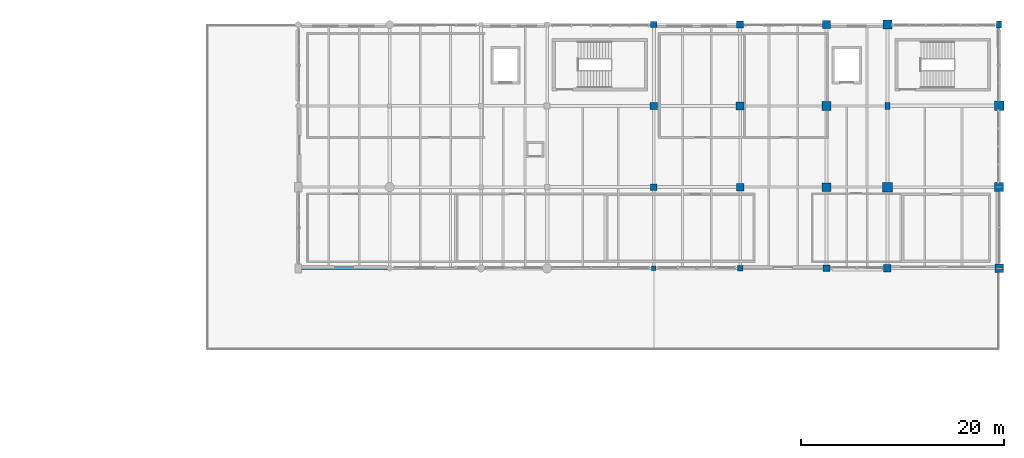
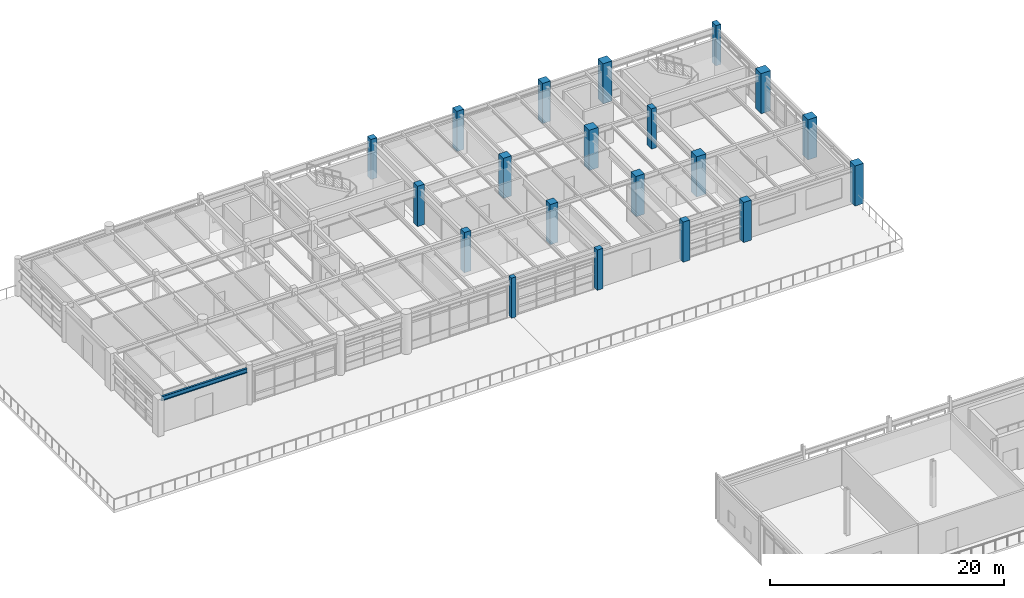
# One storey, part 6 of 56: 20 columns, 1 beam.
"""IFC4 building model written with IfcOpenShell, lengths in metres."""

from ifc_helpers import new_model, si_unit, direction, frame, origin, origin_2d, place, context, subcontext, project, spatial, rectangle, i_section, extrude, material, material_profile, profile_set, type_object, element, save


model = new_model("IFC4")

# Units and contexts
model_context = context("Model", 3, precision=1e-05, world=origin(), true_north=direction((0.0, 1.0)))
body_context = subcontext(model_context, "Body", "Model", "MODEL_VIEW")
ifc_project = project(units=[si_unit("LENGTHUNIT", "METRE"), si_unit("AREAUNIT", "SQUARE_METRE"), si_unit("VOLUMEUNIT", "CUBIC_METRE"), si_unit("PLANEANGLEUNIT", "RADIAN"), si_unit("MASSUNIT", "GRAM", prefix="KILO"), si_unit("THERMODYNAMICTEMPERATUREUNIT", "KELVIN"), si_unit("POWERUNIT", "WATT")], contexts=[model_context])

# Site, building, storey
site_placement = place(None, origin())
site = spatial("IfcSite", under=ifc_project, at=site_placement, CompositionType="ELEMENT")
building_placement = place(site_placement, origin())
building = spatial("IfcBuilding", under=site, at=building_placement, Name="Tepalcoro Natatorium and Aquatics Centre", CompositionType="ELEMENT")
storey_placement = place(building_placement, frame((0.0, 0.0, 14.800048828125)))
storey = spatial("IfcBuildingStorey", under=building, at=storey_placement, Name="L03", CompositionType="ELEMENT", Elevation=14.800048828125)

# Columns
ifc_material_1 = material(Name="Concrete C40/50 (fc 40 MPa)", Category="concrete")
ifc_material_profile_1 = material_profile(ifc_material_1, rectangle(XDim=0.449951171875, YDim=0.449951171875, at=origin_2d()), Name="RC450x450")
ifc_profile_set_1 = profile_set([ifc_material_profile_1], Name="Concrete C40/50 (fc 40 MPa)")
column_type_1 = type_object("IfcColumnType", Name="COL_RC_450x450", PredefinedType="COLUMN", material=ifc_profile_set_1)
column_1_placement = place(storey_placement, frame((142.0, 94.0, 0.0), z_axis=(0.0, 0.0, 1.0), x_axis=(1.0, 0.0, 0.0)))
element("IfcColumn", 1, at=column_1_placement, inside=storey, type_object=column_type_1, Name="V5 L03 Grid Column (142.0, 94.0)", PredefinedType="COLUMN", context=body_context, shape_type="SweptSolid", body=[
    extrude(rectangle(XDim=0.449951171875, YDim=0.449951171875, at=origin_2d()), origin(), (0.0, 0.0, 1.0), 4.199951171875),
])
ifc_material_profile_2 = material_profile(ifc_material_1, rectangle(XDim=0.5, YDim=0.699951171875, at=origin_2d()), Name="RC500x700")
ifc_profile_set_2 = profile_set([ifc_material_profile_2], Name="Concrete C40/50 (fc 40 MPa)")
column_type_2 = type_object("IfcColumnType", Name="COL_RC_500x700", PredefinedType="COLUMN", material=ifc_profile_set_2)
for number, where, z_axis, x_axis, name in (
    (2, (165.0, 110.0, 0.0), (0.0, 0.0, 1.0), (1.0, 0.0, 0.0), "V5 L03 Grid Column (165.0, 110.0)"),
    (3, (176.0, 118.0, 0.0), (0.0, 0.0, 1.0), (1.0, 0.0, 0.0), "V5 L03 Grid Column (176.0, 118.0)"),
):
    element("IfcColumn", number, at=place(storey_placement, frame(where, z_axis=z_axis, x_axis=x_axis)), inside=storey, type_object=column_type_2, Name=name, PredefinedType="COLUMN", context=body_context, shape_type="SweptSolid", body=[
        extrude(rectangle(XDim=0.5, YDim=0.699951171875, at=origin_2d()), origin(), (0.0, 0.0, 1.0), 4.199951171875),
    ])
ifc_material_profile_3 = material_profile(ifc_material_1, rectangle(XDim=0.550048828125, YDim=0.550048828125, at=origin_2d()), Name="RC550x550")
ifc_profile_set_3 = profile_set([ifc_material_profile_3], Name="Concrete C40/50 (fc 40 MPa)")
column_type_3 = type_object("IfcColumnType", Name="COL_RC_550x550", PredefinedType="COLUMN", material=ifc_profile_set_3)
column_2_placement = place(storey_placement, frame((150.5, 94.0, 0.0), z_axis=(0.0, 0.0, 1.0), x_axis=(1.0, 0.0, 0.0)))
element("IfcColumn", 4, at=column_2_placement, inside=storey, type_object=column_type_3, Name="V5 L03 Grid Column (150.5, 94.0)", PredefinedType="COLUMN", context=body_context, shape_type="SweptSolid", body=[
    extrude(rectangle(XDim=0.550048828125, YDim=0.550048828125, at=origin_2d()), origin(), (0.0, 0.0, 1.0), 4.199951171875),
])
ifc_material_profile_4 = material_profile(ifc_material_1, rectangle(XDim=0.60009765625, YDim=0.60009765625, at=origin_2d()), Name="RC600x600")
ifc_profile_set_4 = profile_set([ifc_material_profile_4], Name="Concrete C40/50 (fc 40 MPa)")
column_type_4 = type_object("IfcColumnType", Name="COL_RC_600x600", PredefinedType="COLUMN", material=ifc_profile_set_4)
column_3_placement = place(storey_placement, frame((142.0, 118.0, 0.0), z_axis=(0.0, 0.0, 1.0), x_axis=(1.0, 0.0, 0.0)))
element("IfcColumn", 5, at=column_3_placement, inside=storey, type_object=column_type_4, Name="V5 L03 Grid Column (142.0, 118.0)", PredefinedType="COLUMN", context=body_context, shape_type="SweptSolid", body=[
    extrude(rectangle(XDim=0.60009765625, YDim=0.60009765625, at=origin_2d()), origin(), (0.0, 0.0, 1.0), 4.199951171875),
])
ifc_material_profile_5 = material_profile(ifc_material_1, rectangle(XDim=0.64990234375, YDim=0.64990234375, at=origin_2d()), Name="RC650x650")
ifc_profile_set_5 = profile_set([ifc_material_profile_5], Name="Concrete C40/50 (fc 40 MPa)")
column_type_5 = type_object("IfcColumnType", Name="COL_RC_650x650", PredefinedType="COLUMN", material=ifc_profile_set_5)
for number, where, z_axis, x_axis, name in (
    (6, (142.0, 102.0, 0.0), (0.0, 0.0, 1.0), (1.0, 0.0, 0.0), "V5 L03 Grid Column (142.0, 102.0)"),
    (7, (159.0, 94.0, 0.0), (0.0, 0.0, 1.0), (1.0, 0.0, 0.0), "V5 L03 Grid Column (159.0, 94.0)"),
):
    element("IfcColumn", number, at=place(storey_placement, frame(where, z_axis=z_axis, x_axis=x_axis)), inside=storey, type_object=column_type_5, Name=name, PredefinedType="COLUMN", context=body_context, shape_type="SweptSolid", body=[
        extrude(rectangle(XDim=0.64990234375, YDim=0.64990234375, at=origin_2d()), origin(), (0.0, 0.0, 1.0), 4.199951171875),
    ])
ifc_material_profile_6 = material_profile(ifc_material_1, rectangle(XDim=0.699951171875, YDim=0.699951171875, at=origin_2d()), Name="RC700x700")
ifc_profile_set_6 = profile_set([ifc_material_profile_6], Name="Concrete C40/50 (fc 40 MPa)")
column_type_6 = type_object("IfcColumnType", Name="COL_RC_700x700", PredefinedType="COLUMN", material=ifc_profile_set_6)
for number, where, z_axis, x_axis, name in (
    (8, (142.0, 110.0, 0.0), (0.0, 0.0, 1.0), (1.0, 0.0, 0.0), "V5 L03 Grid Column (142.0, 110.0)"),
    (9, (150.5, 118.0, 0.0), (0.0, 0.0, 1.0), (1.0, 0.0, 0.0), "V5 L03 Grid Column (150.5, 118.0)"),
):
    element("IfcColumn", number, at=place(storey_placement, frame(where, z_axis=z_axis, x_axis=x_axis)), inside=storey, type_object=column_type_6, Name=name, PredefinedType="COLUMN", context=body_context, shape_type="SweptSolid", body=[
        extrude(rectangle(XDim=0.699951171875, YDim=0.699951171875, at=origin_2d()), origin(), (0.0, 0.0, 1.0), 4.199951171875),
    ])
ifc_material_profile_7 = material_profile(ifc_material_1, rectangle(XDim=0.75, YDim=0.75, at=origin_2d()), Name="RC750x750")
ifc_profile_set_7 = profile_set([ifc_material_profile_7], Name="Concrete C40/50 (fc 40 MPa)")
column_type_7 = type_object("IfcColumnType", Name="COL_RC_750x750", PredefinedType="COLUMN", material=ifc_profile_set_7)
for number, where, z_axis, x_axis, name in (
    (10, (150.5, 102.0, 0.0), (0.0, 0.0, 1.0), (1.0, 0.0, 0.0), "V5 L03 Grid Column (150.5, 102.0)"),
    (11, (165.0, 94.0, 0.0), (0.0, 0.0, 1.0), (1.0, 0.0, 0.0), "V5 L03 Grid Column (165.0, 94.0)"),
):
    element("IfcColumn", number, at=place(storey_placement, frame(where, z_axis=z_axis, x_axis=x_axis)), inside=storey, type_object=column_type_7, Name=name, PredefinedType="COLUMN", context=body_context, shape_type="SweptSolid", body=[
        extrude(rectangle(XDim=0.75, YDim=0.75, at=origin_2d()), origin(), (0.0, 0.0, 1.0), 4.199951171875),
    ])
ifc_material_profile_8 = material_profile(ifc_material_1, rectangle(XDim=0.800048828125, YDim=0.800048828125, at=origin_2d()), Name="RC800x800")
ifc_profile_set_8 = profile_set([ifc_material_profile_8], Name="Concrete C40/50 (fc 40 MPa)")
column_type_8 = type_object("IfcColumnType", Name="COL_RC_800x800", PredefinedType="COLUMN", material=ifc_profile_set_8)
for number, where, z_axis, x_axis, name in (
    (12, (150.5, 110.0, 0.0), (0.0, 0.0, 1.0), (1.0, 0.0, 0.0), "V5 L03 Grid Column (150.5, 110.0)"),
    (13, (159.0, 118.0, 0.0), (0.0, 0.0, 1.0), (1.0, 0.0, 0.0), "V5 L03 Grid Column (159.0, 118.0)"),
):
    element("IfcColumn", number, at=place(storey_placement, frame(where, z_axis=z_axis, x_axis=x_axis)), inside=storey, type_object=column_type_8, Name=name, PredefinedType="COLUMN", context=body_context, shape_type="SweptSolid", body=[
        extrude(rectangle(XDim=0.800048828125, YDim=0.800048828125, at=origin_2d()), origin(), (0.0, 0.0, 1.0), 4.199951171875),
    ])
ifc_material_profile_9 = material_profile(ifc_material_1, rectangle(XDim=0.85009765625, YDim=0.85009765625, at=origin_2d()), Name="RC850x850")
ifc_profile_set_9 = profile_set([ifc_material_profile_9], Name="Concrete C40/50 (fc 40 MPa)")
column_type_9 = type_object("IfcColumnType", Name="COL_RC_850x850", PredefinedType="COLUMN", material=ifc_profile_set_9)
for number, where, z_axis, x_axis, name in (
    (14, (159.0, 102.0, 0.0), (0.0, 0.0, 1.0), (1.0, 0.0, 0.0), "V5 L03 Grid Column (159.0, 102.0)"),
    (15, (176.0, 94.0, 0.0), (0.0, 0.0, 1.0), (1.0, 0.0, 0.0), "V5 L03 Grid Column (176.0, 94.0)"),
):
    element("IfcColumn", number, at=place(storey_placement, frame(where, z_axis=z_axis, x_axis=x_axis)), inside=storey, type_object=column_type_9, Name=name, PredefinedType="COLUMN", context=body_context, shape_type="SweptSolid", body=[
        extrude(rectangle(XDim=0.85009765625, YDim=0.85009765625, at=origin_2d()), origin(), (0.0, 0.0, 1.0), 4.199951171875),
    ])
ifc_material_profile_10 = material_profile(ifc_material_1, rectangle(XDim=0.89990234375, YDim=0.89990234375, at=origin_2d()), Name="RC900x900")
ifc_profile_set_10 = profile_set([ifc_material_profile_10], Name="Concrete C40/50 (fc 40 MPa)")
column_type_10 = type_object("IfcColumnType", Name="COL_RC_900x900", PredefinedType="COLUMN", material=ifc_profile_set_10)
for number, where, z_axis, x_axis, name in (
    (16, (159.0, 110.0, 0.0), (0.0, 0.0, 1.0), (1.0, 0.0, 0.0), "V5 L03 Grid Column (159.0, 110.0)"),
    (17, (165.0, 118.0, 0.0), (0.0, 0.0, 1.0), (1.0, 0.0, 0.0), "V5 L03 Grid Column (165.0, 118.0)"),
    (18, (176.0, 102.0, 0.0), (0.0, 0.0, 1.0), (1.0, 0.0, 0.0), "V5 L03 Grid Column (176.0, 102.0)"),
):
    element("IfcColumn", number, at=place(storey_placement, frame(where, z_axis=z_axis, x_axis=x_axis)), inside=storey, type_object=column_type_10, Name=name, PredefinedType="COLUMN", context=body_context, shape_type="SweptSolid", body=[
        extrude(rectangle(XDim=0.89990234375, YDim=0.89990234375, at=origin_2d()), origin(), (0.0, 0.0, 1.0), 4.199951171875),
    ])
ifc_material_profile_11 = material_profile(ifc_material_1, rectangle(XDim=0.949951171875, YDim=0.949951171875, at=origin_2d()), Name="RC950x950")
ifc_profile_set_11 = profile_set([ifc_material_profile_11], Name="Concrete C40/50 (fc 40 MPa)")
column_type_11 = type_object("IfcColumnType", Name="COL_RC_950x950", PredefinedType="COLUMN", material=ifc_profile_set_11)
for number, where, z_axis, x_axis, name in (
    (19, (165.0, 102.0, 0.0), (0.0, 0.0, 1.0), (1.0, 0.0, 0.0), "V5 L03 Grid Column (165.0, 102.0)"),
    (20, (176.0, 110.0, 0.0), (0.0, 0.0, 1.0), (1.0, 0.0, 0.0), "V5 L03 Grid Column (176.0, 110.0)"),
):
    element("IfcColumn", number, at=place(storey_placement, frame(where, z_axis=z_axis, x_axis=x_axis)), inside=storey, type_object=column_type_11, Name=name, PredefinedType="COLUMN", context=body_context, shape_type="SweptSolid", body=[
        extrude(rectangle(XDim=0.949951171875, YDim=0.949951171875, at=origin_2d()), origin(), (0.0, 0.0, 1.0), 4.199951171875),
    ])

# Beam
ifc_material_2 = material(Name="Steel ASTM A992 Grade 50 (Fy 345 MPa)", Category="steel")
ifc_material_profile_12 = material_profile(ifc_material_2, i_section(OverallWidth=0.19091796875, OverallDepth=0.4599609375, WebThickness=0.010009765625, FlangeThickness=0.01611328125, FilletRadius=0.013916015625, at=origin_2d()), Name="W18X55")
ifc_profile_set_12 = profile_set([ifc_material_profile_12], Name="Steel ASTM A992 Grade 50 (Fy 345 MPa)")
beam_type = type_object("IfcBeamType", Name="SP_W18x55", PredefinedType="SPANDREL", material=ifc_profile_set_12)
beam_placement = place(storey_placement, frame((107.284912109375, 94.0, 3.574951171875), z_axis=(1.0, 0.0, 0.0), x_axis=(0.0, 1.0, 0.0)))
element("IfcBeam", 21, at=beam_placement, inside=storey, type_object=beam_type, Name="V5 L03 Grid Girder X", PredefinedType="SPANDREL", context=body_context, shape_type="SweptSolid", body=[
    extrude(i_section(OverallWidth=0.19091796875, OverallDepth=0.4599609375, WebThickness=0.010009765625, FlangeThickness=0.01611328125, FilletRadius=0.013916015625, at=origin_2d()), origin(), (0.0, 0.0, 1.0), 8.47998046875),
])

save(model, "model.ifc")
